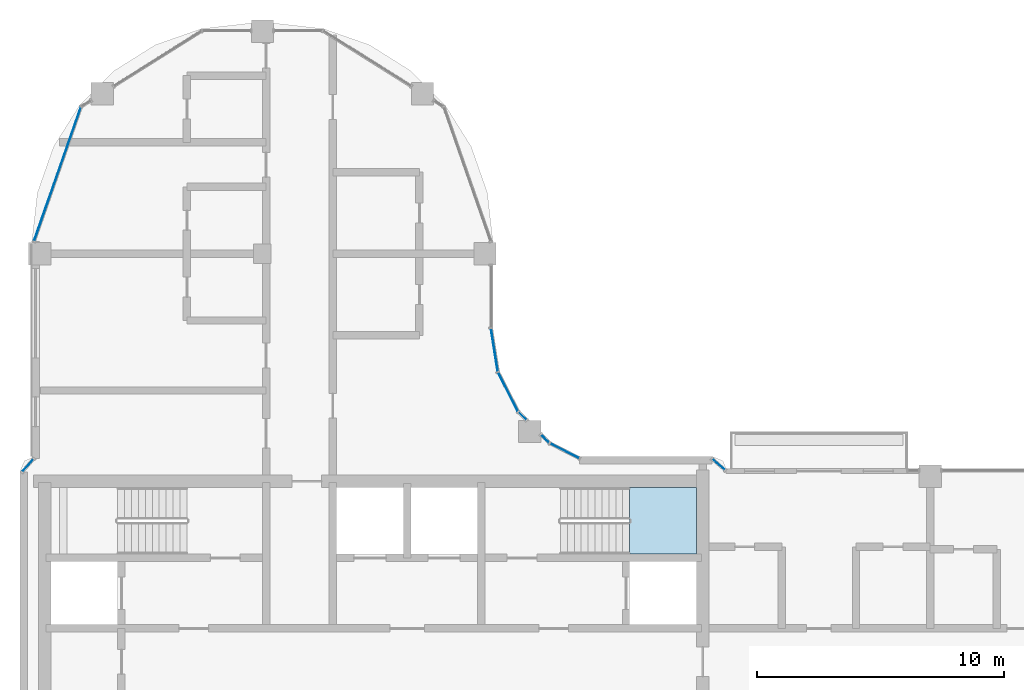
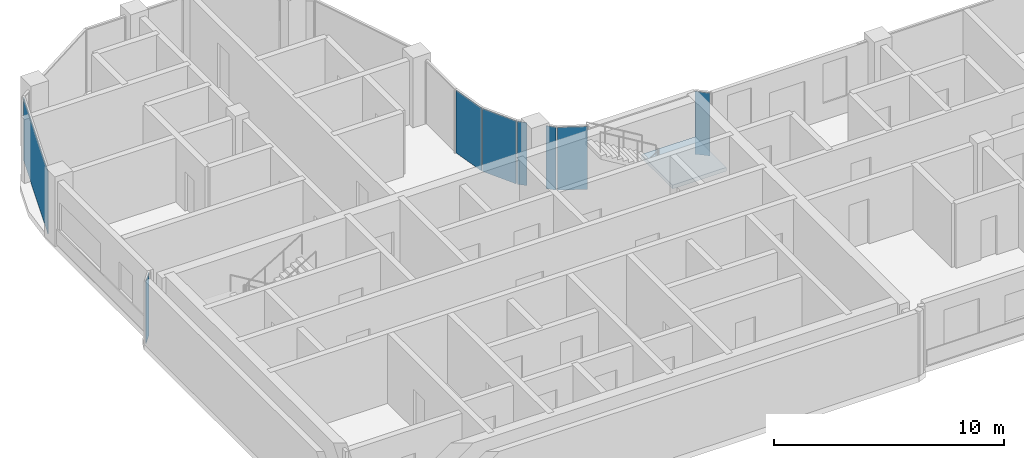
# One storey, part 6 of 19: 8 plates, 1 slab, 6 elements without a shape of their own.
"""IFC4 building model written with IfcOpenShell, lengths in metres."""

from ifc_helpers import new_model, si_unit, direction, frame, origin, origin_2d, place, context, subcontext, project, spatial, polyline, rectangle, outline, extrude, material, layer, layer_set, type_object, element, aggregate, save


model = new_model("IFC4")

# Units and contexts
model_context = context("Model", 3, precision=1e-05, world=origin(), true_north=direction((0.0, 1.0)))
body_context = subcontext(model_context, "Body", "Model", "MODEL_VIEW")
ifc_project = project(units=[si_unit("LENGTHUNIT", "METRE"), si_unit("AREAUNIT", "SQUARE_METRE"), si_unit("VOLUMEUNIT", "CUBIC_METRE"), si_unit("PLANEANGLEUNIT", "RADIAN"), si_unit("MASSUNIT", "GRAM", prefix="KILO")], contexts=[model_context])

# Site, building, storey
site_placement = place(None, origin())
site = spatial("IfcSite", under=ifc_project, at=site_placement, CompositionType="ELEMENT")
building_placement = place(site_placement, origin())
building = spatial("IfcBuilding", under=site, at=building_placement, Name="Ogive Portal Towers", CompositionType="ELEMENT")
storey_placement = place(building_placement, frame((0.0, 0.0, 218.0)))
storey = spatial("IfcBuildingStorey", under=building, at=storey_placement, Name="L54", CompositionType="ELEMENT", Elevation=218.0)

# Curtain wall, plate
ifc_material_1 = material(Name="Glass, clear low-iron insulated glazing", Category="glass")
curtain_wall_type = type_object("IfcCurtainWallType", Name="CW FRONT RIBBON 4500", PredefinedType="NOTDEFINED", material=ifc_material_1)
curtain_wall_1_placement = place(storey_placement, origin())
curtain_wall_1 = element("IfcCurtainWall", 1, at=curtain_wall_1_placement, inside=storey, type_object=curtain_wall_type, Name="A:L54:f00:cwa", PredefinedType="NOTDEFINED")
ifc_layer_1 = layer(ifc_material_1, 0.028076171875)
ifc_layer_set_1 = layer_set([ifc_layer_1], Name="CW PANEL IGU 28")
plate_type = type_object("IfcPlateType", Name="CW PANEL IGU 28", PredefinedType="CURTAIN_PANEL", material=ifc_layer_set_1)
plate_1_placement = place(storey_placement, frame((58.945068359375, 39.97998046875, 0.0), z_axis=(0.0, 0.0, 1.0), x_axis=(-0.753598923768, 0.657334513087, 0.0)))
plate_1 = element("IfcPlate", 2, at=plate_1_placement, type_object=plate_type, Name="panel", PredefinedType="CURTAIN_PANEL", context=body_context, shape_type="SweptSolid", body=[
    extrude(rectangle(XDim=0.670166015625, YDim=0.028076171875, at=origin_2d()), origin(), (0.0, 0.0, 1.0), 3.340087890625),
])
aggregate(curtain_wall_1, [plate_1])

# Curtain wall, plates
curtain_wall_2_placement = place(storey_placement, origin())
curtain_wall_2 = element("IfcCurtainWall", 3, at=curtain_wall_2_placement, inside=storey, type_object=curtain_wall_type, Name="A:L54:f02:cwa~0", PredefinedType="NOTDEFINED")
plate_2_placement = place(storey_placement, frame((52.721435546875, 40.529541015625, 0.0), z_axis=(0.0, 0.0, 1.0), x_axis=(-0.891006524188, 0.45399049974, 0.0)))
plate_2 = element("IfcPlate", 4, at=plate_2_placement, type_object=plate_type, Name="panel", PredefinedType="CURTAIN_PANEL", context=body_context, shape_type="SweptSolid", body=[
    extrude(rectangle(XDim=1.303955078125, YDim=0.028076171875, at=origin_2d()), origin(), (0.0, 0.0, 1.0), 3.340087890625),
])
plate_3_placement = place(storey_placement, frame((51.936767578125, 41.01611328125, 0.0), z_axis=(0.0, 0.0, 1.0), x_axis=(-0.707106781187, 0.707106781187, 0.0)))
plate_3 = element("IfcPlate", 5, at=plate_3_placement, type_object=plate_type, Name="panel", PredefinedType="CURTAIN_PANEL", context=body_context, shape_type="SweptSolid", body=[
    extrude(rectangle(XDim=0.440185546875, YDim=0.028076171875, at=origin_2d()), origin(), (0.0, 0.0, 1.0), 3.340087890625),
])
aggregate(curtain_wall_2, [plate_2, plate_3])

curtain_wall_3_placement = place(storey_placement, origin())
curtain_wall_3 = element("IfcCurtainWall", 6, at=curtain_wall_3_placement, inside=storey, type_object=curtain_wall_type, Name="A:L54:f02:cwa~1", PredefinedType="NOTDEFINED")
plate_4_placement = place(storey_placement, frame((51.01611328125, 41.936767578125, 0.0), z_axis=(0.0, 0.0, 1.0), x_axis=(-0.707106781187, 0.707106781187, 0.0)))
plate_4 = element("IfcPlate", 7, at=plate_4_placement, type_object=plate_type, Name="panel", PredefinedType="CURTAIN_PANEL", context=body_context, shape_type="SweptSolid", body=[
    extrude(rectangle(XDim=0.440185546875, YDim=0.028076171875, at=origin_2d()), origin(), (0.0, 0.0, 1.0), 3.340087890625),
])
plate_5_placement = place(storey_placement, frame((50.43017578125, 42.916748046875, 0.0), z_axis=(0.0, 0.0, 1.0), x_axis=(-0.45399049974, 0.891006524188, 0.0)))
plate_5 = element("IfcPlate", 8, at=plate_5_placement, type_object=plate_type, Name="panel", PredefinedType="CURTAIN_PANEL", context=body_context, shape_type="SweptSolid", body=[
    extrude(rectangle(XDim=1.742431640625, YDim=0.028076171875, at=origin_2d()), origin(), (0.0, 0.0, 1.0), 3.340087890625),
])
plate_6_placement = place(storey_placement, frame((49.88037109375, 44.606689453125, 0.0), z_axis=(0.0, 0.0, 1.0), x_axis=(-0.15643446504, 0.987688340595, 0.0)))
plate_6 = element("IfcPlate", 9, at=plate_6_placement, type_object=plate_type, Name="panel", PredefinedType="CURTAIN_PANEL", context=body_context, shape_type="SweptSolid", body=[
    extrude(rectangle(XDim=1.736083984375, YDim=0.028076171875, at=origin_2d()), origin(), (0.0, 0.0, 1.0), 3.340087890625),
])
aggregate(curtain_wall_3, [plate_4, plate_5, plate_6])

# Curtain wall, plate
curtain_wall_4_placement = place(storey_placement, origin())
curtain_wall_4 = element("IfcCurtainWall", 10, at=curtain_wall_4_placement, inside=storey, type_object=curtain_wall_type, Name="A:L54:f07:cwa~3", PredefinedType="NOTDEFINED")
plate_7_placement = place(storey_placement, frame((32.21533203125, 51.71630859375, 0.0), z_axis=(0.0, 0.0, 1.0), x_axis=(-0.33027906196, -0.943883330307, 0.0)))
plate_7 = element("IfcPlate", 11, at=plate_7_placement, type_object=plate_type, Name="panel", PredefinedType="CURTAIN_PANEL", context=body_context, shape_type="SweptSolid", body=[
    extrude(rectangle(XDim=5.724609375, YDim=0.028076171875, at=origin_2d()), origin(), (0.0, 0.0, 1.0), 3.340087890625),
])
aggregate(curtain_wall_4, [plate_7])

curtain_wall_5_placement = place(storey_placement, origin())
curtain_wall_5 = element("IfcCurtainWall", 12, at=curtain_wall_5_placement, inside=storey, type_object=curtain_wall_type, Name="A:L54:f13:cwa", PredefinedType="NOTDEFINED")
plate_8_placement = place(storey_placement, frame((31.02001953125, 39.945068359375, 0.0), z_axis=(0.0, 0.0, 1.0), x_axis=(-0.657334513087, -0.753598923768, 0.0)))
plate_8 = element("IfcPlate", 13, at=plate_8_placement, type_object=plate_type, Name="panel", PredefinedType="CURTAIN_PANEL", context=body_context, shape_type="SweptSolid", body=[
    extrude(rectangle(XDim=0.670166015625, YDim=0.028076171875, at=origin_2d()), origin(), (0.0, 0.0, 1.0), 3.340087890625),
])
aggregate(curtain_wall_5, [plate_8])

# Stair, slab
ifc_material_2 = material(Name="Concrete C40/50", Category="concrete")
stair_type = type_object("IfcStairType", Name="INT-STAIR", PredefinedType="HALF_TURN_STAIR", material=ifc_material_2)
stair_placement = place(storey_placement, origin())
stair = element("IfcStair", 14, at=stair_placement, inside=storey, type_object=stair_type, Name="L54 Exit Stair ST-A2", PredefinedType="HALF_TURN_STAIR")
ifc_layer_2 = layer(ifc_material_2, 0.199951171875)
ifc_layer_set_2 = layer_set([ifc_layer_2], Name="INT-LANDING")
slab_type = type_object("IfcSlabType", Name="INT-LANDING", PredefinedType="LANDING", material=ifc_layer_set_2)
slab_placement = place(storey_placement, frame((0.0, 0.0, 1.64990234375)))
slab = element("IfcSlab", 15, at=slab_placement, type_object=slab_type, Name="ST-A2 landing 1", PredefinedType="LANDING", context=body_context, shape_type="SweptSolid", body=[
    extrude(outline(polyline([(55.35009765625, 36.35009765625), (58.050048828125, 36.35009765625), (58.050048828125, 39.050048828125), (55.35009765625, 39.050048828125), (55.35009765625, 36.35009765625)])), origin(), (0.0, 0.0, 1.0), 0.2001953125),
])
aggregate(stair, [slab])

save(model, "model.ifc")
